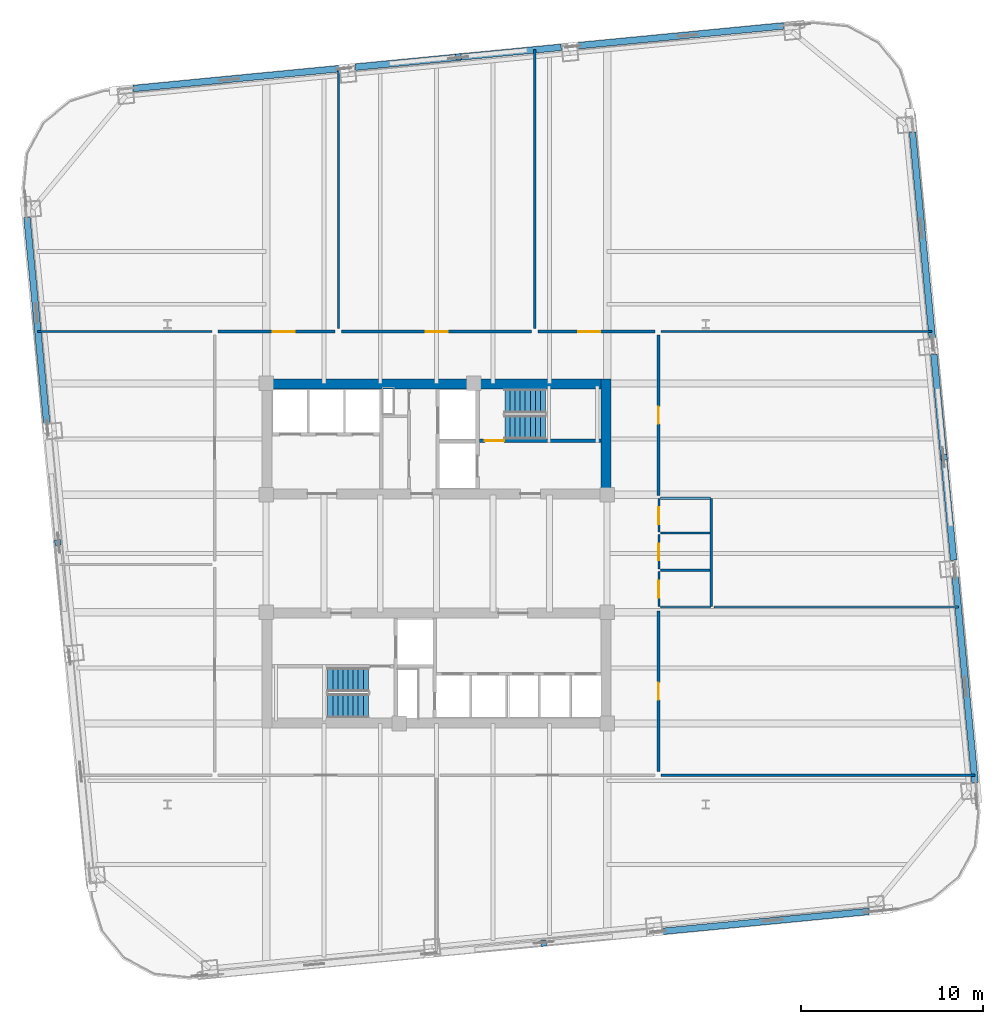
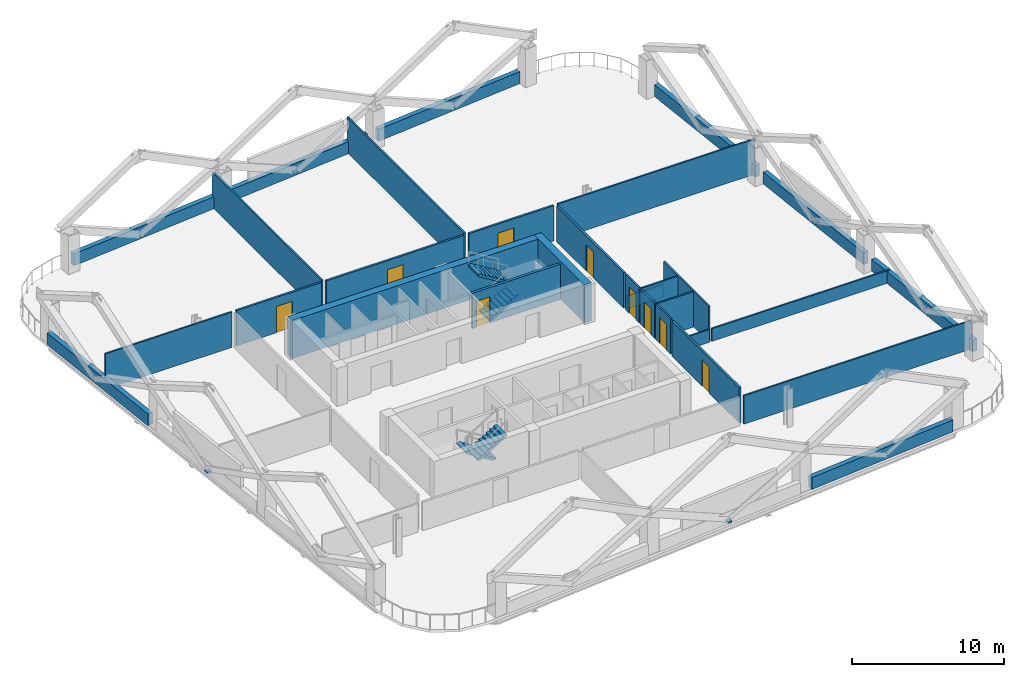
# One storey, part 5 of 8: 30 walls, 9 doors, 4 discrete accessories, 4 stair flights, 9 openings, 2 elements without a shape of their own.
"""IFC4 building model written with IfcOpenShell, lengths in metres."""

import ifcopenshell
import ifcopenshell.guid

model = None  # the IFC model being written
_history = None  # IfcOwnerHistory: only IFC2X3 demands one
_inside = {}  # id of a spatial element -> (the spatial element, [elements in it])
_under = {}  # id of a project, library or spatial element -> (it, [spatial elements below it])
_declared = {}  # id of a project -> (the project, [libraries it declares])
_typed = {}  # id of a type object -> (the type object, [elements of that type])
_made_of = {}  # id of a material, layer set ... -> (it, [elements and type objects made of it])


def new_model(schema):
    """Start an empty IFC model of exactly this schema.

    Asked for "IFC4X3", IfcOpenShell would pick the latest addendum, in which some entities
    have other attributes; the version numbers below select the first issue.
    IFC2X3 requires an IfcOwnerHistory on every rooted entity: one is made here for all.
    """
    global model, _history
    if schema == "IFC4X3":
        model = ifcopenshell.file(schema_version=(4, 3, 0, 0))
    else:
        model = ifcopenshell.file(schema=schema)
    _inside.clear()
    _under.clear()
    _declared.clear()
    _typed.clear()
    _made_of.clear()
    _history = None
    if model.schema == "IFC2X3":
        org = make("IfcOrganization", Name="unknown")
        user = make(
            "IfcPersonAndOrganization",
            ThePerson=make("IfcPerson", FamilyName="unknown"),
            TheOrganization=org,
        )
        app = make(
            "IfcApplication",
            ApplicationDeveloper=org,
            Version="unknown",
            ApplicationFullName="unknown",
            ApplicationIdentifier="unknown",
        )
        _history = make(
            "IfcOwnerHistory",
            OwningUser=user,
            OwningApplication=app,
            ChangeAction="ADDED",
            CreationDate=0,
        )
    return model


def make(cls, **values):
    """One entity of the class cls with the attributes given. An attribute that is None is left unset."""
    return model.create_entity(
        cls, **{name: value for name, value in values.items() if value is not None}
    )


def rooted(cls, **values):
    """An entity with a GlobalId (a new one), such as an element, a storey or a relation."""
    return make(cls, GlobalId=ifcopenshell.guid.new(), OwnerHistory=_history, **values)


def si_unit(unit_type, name, prefix=None):
    """IfcSIUnit, for example si_unit("LENGTHUNIT", "METRE", prefix="MILLI")."""
    return make("IfcSIUnit", UnitType=unit_type, Prefix=prefix, Name=name)


def assignment(units):
    """IfcUnitAssignment: the units of a project."""
    return None if units is None else make("IfcUnitAssignment", Units=units)


def point(xyz):
    """IfcCartesianPoint."""
    return None if xyz is None else make("IfcCartesianPoint", Coordinates=xyz)


def direction(xyz):
    """IfcDirection."""
    return None if xyz is None else make("IfcDirection", DirectionRatios=xyz)


def frame(location, z_axis=None, x_axis=None):
    """IfcAxis2Placement3D, a coordinate frame: its origin and axes. An axis left out is left unset."""
    return make(
        "IfcAxis2Placement3D",
        Location=point(location),
        Axis=direction(z_axis),
        RefDirection=direction(x_axis),
    )


def frame_2d(location, x_axis=None):
    """IfcAxis2Placement2D, a coordinate frame in the plane: its origin and x axis."""
    return make(
        "IfcAxis2Placement2D", Location=point(location), RefDirection=direction(x_axis)
    )


def origin():
    """The frame at (0, 0, 0) with its axes left unset."""
    return frame((0.0, 0.0, 0.0))


def origin_2d():
    """The frame at (0, 0) in the plane with its x axis left unset."""
    return frame_2d((0.0, 0.0))


def place(relative_to, where):
    """IfcLocalPlacement: puts the frame where relative to a parent placement (None: the world)."""
    return make(
        "IfcLocalPlacement", PlacementRelTo=relative_to, RelativePlacement=where
    )


def context(
    kind, dimensions, precision=None, world=None, true_north=None, identifier=None
):
    """IfcGeometricRepresentationContext, for example the 3D "Model" context."""
    return make(
        "IfcGeometricRepresentationContext",
        ContextIdentifier=identifier,
        ContextType=kind,
        CoordinateSpaceDimension=dimensions,
        Precision=precision,
        WorldCoordinateSystem=world,
        TrueNorth=true_north,
    )


def subcontext(parent, identifier, kind, view, scale=None):
    """IfcGeometricRepresentationSubContext, for example "Body" below "Model"."""
    return make(
        "IfcGeometricRepresentationSubContext",
        ContextIdentifier=identifier,
        ContextType=kind,
        ParentContext=parent,
        TargetScale=scale,
        TargetView=view,
    )


def project(units=None, contexts=None):
    """IfcProject with its units and contexts."""
    return rooted(
        "IfcProject",
        Name="project",
        RepresentationContexts=contexts,
        UnitsInContext=assignment(units),
    )


def spatial(cls, under=None, at=None, **own):
    """A site, building, storey or space (cls), placed at a placement, below another one or the project."""
    s = rooted(cls, ObjectPlacement=at, **own)
    if under is not None:
        _under.setdefault(under.id(), (under, []))[1].append(s)
    return s


def polyline(points):
    """IfcPolyline through the points."""
    return make("IfcPolyline", Points=[point(p) for p in points])


def profile(cls, at=None, kind="AREA", **sizes):
    """A parametric profile (cls). Its sizes go by their IFC names, for example OverallWidth=200.0."""
    return make(cls, ProfileType=kind, Position=at, **sizes)


def rectangle(**sizes):
    """IfcRectangleProfileDef."""
    return profile("IfcRectangleProfileDef", **sizes)


def outline(outer, holes=None, kind="AREA"):
    """IfcArbitraryClosedProfileDef: a profile drawn as a closed curve; with holes, ...WithVoids."""
    if holes is None:
        return make("IfcArbitraryClosedProfileDef", ProfileType=kind, OuterCurve=outer)
    return make(
        "IfcArbitraryProfileDefWithVoids",
        ProfileType=kind,
        OuterCurve=outer,
        InnerCurves=holes,
    )


def extrude(swept, where, along, depth):
    """IfcExtrudedAreaSolid: the profile swept, set in the frame where, extruded along a direction by depth."""
    return make(
        "IfcExtrudedAreaSolid",
        SweptArea=swept,
        Position=where,
        ExtrudedDirection=direction(along),
        Depth=depth,
    )


def shape(context_of_items, identifier, shape_type, items):
    """IfcShapeRepresentation: the items that make up one representation, for example the "Body"."""
    return make(
        "IfcShapeRepresentation",
        ContextOfItems=context_of_items,
        RepresentationIdentifier=identifier,
        RepresentationType=shape_type,
        Items=items,
    )


def material(Name=None, Category=None):
    """IfcMaterial."""
    return make("IfcMaterial", Name=Name, Category=Category)


def layer(
    of_material, thickness, ventilated=None, Name=None, Category=None, Priority=None
):
    """IfcMaterialLayer: one layer of a wall or slab, of a material (None: an air gap)."""
    return make(
        "IfcMaterialLayer",
        Material=of_material,
        LayerThickness=thickness,
        IsVentilated=ventilated,
        Name=Name,
        Category=Category,
        Priority=Priority,
    )


def layer_set(layers, Name=None):
    """IfcMaterialLayerSet."""
    return make("IfcMaterialLayerSet", MaterialLayers=layers, LayerSetName=Name)


def made_of(thing, what):
    """Note that an element or type object is made of a material, layer set ...; save() writes the relation."""
    if what is not None:
        _made_of.setdefault(what.id(), (what, []))[1].append(thing)
    return thing


def type_object(cls, material=None, **own):
    """A type object (cls), such as IfcWallType, which elements share."""
    return made_of(rooted(cls, **own), material)


def element(
    cls,
    number,
    at=None,
    inside=None,
    cuts=None,
    type_object=None,
    material=None,
    context=None,
    identifier="Body",
    shape_type=None,
    held_by="IfcProductDefinitionShape",
    body=None,
    shapes=None,
    **own,
):
    """One element of the class cls, such as IfcWall. Its Tag is "e" and its number.

    at: its placement. inside: the storey or other place that contains it. cuts: it is an
    opening in that element (IfcRelVoidsElement). A single representation is given by context,
    identifier, shape_type and body (its items); several are given by shapes. held_by: the class
    of the entity that holds the representations. save() writes the other relations.
    """
    e = rooted(cls, Tag="e%d" % number, ObjectPlacement=at, **own)
    if body is not None:
        shapes = [shape(context, identifier, shape_type, body)]
    if shapes is not None:
        e.Representation = make(held_by, Representations=shapes)
    if inside is not None:
        _inside.setdefault(inside.id(), (inside, []))[1].append(e)
    if cuts is not None:
        rooted(
            "IfcRelVoidsElement", RelatingBuildingElement=cuts, RelatedOpeningElement=e
        )
    if type_object is not None:
        _typed.setdefault(type_object.id(), (type_object, []))[1].append(e)
    return made_of(e, material)


def fill(opening, filler):
    """IfcRelFillsElement: the door or window that sits in an opening."""
    return rooted(
        "IfcRelFillsElement",
        RelatingOpeningElement=opening,
        RelatedBuildingElement=filler,
    )


def aggregate(whole, parts):
    """IfcRelAggregates: a whole, such as a stair, and the parts it consists of."""
    return rooted("IfcRelAggregates", RelatingObject=whole, RelatedObjects=parts)


def save(model, path):
    """Write the relations noted so far, then the file.

    IfcRelAggregates (storeys below a building ...), IfcRelContainedInSpatialStructure (elements
    in a storey), IfcRelDefinesByType, IfcRelAssociatesMaterial and IfcRelDeclares: one each for
    every whole, place, type object, material and project.
    """
    for whole, parts in _under.values():
        aggregate(whole, parts)
    for where, things in _inside.values():
        rooted(
            "IfcRelContainedInSpatialStructure",
            RelatedElements=things,
            RelatingStructure=where,
        )
    for kind, things in _typed.values():
        rooted("IfcRelDefinesByType", RelatedObjects=things, RelatingType=kind)
    for what, things in _made_of.values():
        rooted("IfcRelAssociatesMaterial", RelatedObjects=things, RelatingMaterial=what)
    for by, libraries in _declared.values():
        rooted("IfcRelDeclares", RelatingContext=by, RelatedDefinitions=libraries)
    model.write(path)


model = new_model("IFC4")

# Units and contexts
model_context = context("Model", 3, precision=1e-05, world=origin(), true_north=direction((0.0, 1.0)))
body_context = subcontext(model_context, "Body", "Model", "MODEL_VIEW")
ifc_project = project(units=[si_unit("LENGTHUNIT", "METRE"), si_unit("AREAUNIT", "SQUARE_METRE"), si_unit("VOLUMEUNIT", "CUBIC_METRE"), si_unit("PLANEANGLEUNIT", "RADIAN"), si_unit("MASSUNIT", "GRAM", prefix="KILO")], contexts=[model_context])

# Site, building, storey
site_placement = place(None, origin())
site = spatial("IfcSite", under=ifc_project, at=site_placement, CompositionType="ELEMENT")
building_placement = place(site_placement, origin())
building = spatial("IfcBuilding", under=site, at=building_placement, Name="Qhalaya Broadcast Tower", CompositionType="ELEMENT")
storey_placement = place(building_placement, frame((0.0, 0.0, 93.85009765625)))
storey = spatial("IfcBuildingStorey", under=building, at=storey_placement, Name="L27", CompositionType="ELEMENT", Elevation=93.85009765625)

# Wall, opening, door
ifc_material_1 = material(Name="Gypsum Acoustic Partition")
ifc_layer_1 = layer(ifc_material_1, 0.14990234375, Name="Gypsum Acoustic Partition")
ifc_layer_set_1 = layer_set([ifc_layer_1], Name="Gypsum Acoustic Partition")
wall_type_1 = type_object("IfcWallType", Name="Corridor & Tenancy Acoustic Partition 150", PredefinedType="PARTITIONING", material=ifc_layer_set_1)
wall_1_placement = place(storey_placement, frame((-12.02001953125, 12.800048828125, 0.0), z_axis=(0.0, 0.0, 1.0), x_axis=(1.0, 0.0, 0.0)))
wall_1 = element("IfcWall", 1, at=wall_1_placement, inside=storey, type_object=wall_type_1, Name="L27 Partition Wall W-COR-01", PredefinedType="PARTITIONING", context=body_context, shape_type="SweptSolid", body=[
    extrude(rectangle(XDim=6.43994140625, YDim=0.14990234375, at=frame_2d((3.219970703125, 0.0))), origin(), (0.0, 0.0, 1.0), 2.829833984375),
])
opening_1_placement = place(wall_1_placement, frame((3.02001953125, 0.0, 0.0)))
opening_1 = element("IfcOpeningElement", 2, at=opening_1_placement, cuts=wall_1, Name="Opening D11", PredefinedType="OPENING", context=body_context, shape_type="SweptSolid", body=[
    extrude(rectangle(XDim=1.199951171875, YDim=2.10009765625, at=frame_2d((0.60009765625, 1.050048828125))), frame((0.0, 0.0869140625, 0.0), z_axis=(0.0, -1.0, 0.0), x_axis=(1.0, 0.0, 0.0)), (0.0, 0.0, 1.0), 0.173828125),
])
ifc_material_2 = material(Name="Anodised Aluminium Glazed Door", Category="aluminium")
door_type_1 = type_object("IfcDoorType", Name="Conference, Boardroom & Studio Control Door D11", OperationType="NOTDEFINED", PredefinedType="DOOR", material=ifc_material_2)
door_1_placement = place(opening_1_placement, origin())
door_1 = element("IfcDoor", 3, at=door_1_placement, inside=storey, type_object=door_type_1, Name="L27 Door D-RM01", OperationType="SINGLE_SWING_LEFT", OverallHeight=2.10009765625, OverallWidth=1.199951171875, PredefinedType="DOOR", context=body_context, shape_type="SweptSolid", body=[
    extrude(rectangle(XDim=1.199951171875, YDim=2.10009765625, at=frame_2d((0.60009765625, 1.050048828125))), frame((0.0, 0.02490234375, 0.0), z_axis=(0.0, -1.0, 0.0), x_axis=(1.0, 0.0, 0.0)), (0.0, 0.0, 1.0), 0.050048828125),
])
fill(opening_1, door_1)

wall_2_placement = place(storey_placement, frame((-5.219970703125, 12.800048828125, 0.0), z_axis=(0.0, 0.0, 1.0), x_axis=(1.0, 0.0, 0.0)))
wall_2 = element("IfcWall", 4, at=wall_2_placement, inside=storey, type_object=wall_type_1, Name="L27 Partition Wall W-COR-02", PredefinedType="PARTITIONING", context=body_context, shape_type="SweptSolid", body=[
    extrude(rectangle(XDim=10.43994140625, YDim=0.14990234375, at=frame_2d((5.219970703125, 0.0))), origin(), (0.0, 0.0, 1.0), 2.829833984375),
])
opening_2_placement = place(wall_2_placement, frame((4.6201171875, 0.0, 0.0)))
opening_2 = element("IfcOpeningElement", 5, at=opening_2_placement, cuts=wall_2, Name="Opening D11", PredefinedType="OPENING", context=body_context, shape_type="SweptSolid", body=[
    extrude(rectangle(XDim=1.199951171875, YDim=2.10009765625, at=frame_2d((0.60009765625, 1.050048828125))), frame((0.0, 0.0869140625, 0.0), z_axis=(0.0, -1.0, 0.0), x_axis=(1.0, 0.0, 0.0)), (0.0, 0.0, 1.0), 0.173828125),
])
door_2_placement = place(opening_2_placement, origin())
door_2 = element("IfcDoor", 6, at=door_2_placement, inside=storey, type_object=door_type_1, Name="L27 Door D-RM02", OperationType="SINGLE_SWING_RIGHT", OverallHeight=2.10009765625, OverallWidth=1.199951171875, PredefinedType="DOOR", context=body_context, shape_type="SweptSolid", body=[
    extrude(rectangle(XDim=1.199951171875, YDim=2.10009765625, at=frame_2d((0.60009765625, 1.050048828125))), frame((0.0, 0.02490234375, 0.0), z_axis=(0.0, -1.0, 0.0), x_axis=(1.0, 0.0, 0.0)), (0.0, 0.0, 1.0), 0.050048828125),
])
fill(opening_2, door_2)

wall_3_placement = place(storey_placement, frame((5.580078125, 12.800048828125, 0.0), z_axis=(0.0, 0.0, 1.0), x_axis=(1.0, 0.0, 0.0)))
wall_3 = element("IfcWall", 7, at=wall_3_placement, inside=storey, type_object=wall_type_1, Name="L27 Partition Wall W-COR-03", PredefinedType="PARTITIONING", context=body_context, shape_type="SweptSolid", body=[
    extrude(rectangle(XDim=6.43994140625, YDim=0.14990234375, at=frame_2d((3.219970703125, 0.0))), origin(), (0.0, 0.0, 1.0), 2.829833984375),
])
opening_3_placement = place(wall_3_placement, frame((2.219970703125, 0.0, 0.0)))
opening_3 = element("IfcOpeningElement", 8, at=opening_3_placement, cuts=wall_3, Name="Opening D11", PredefinedType="OPENING", context=body_context, shape_type="SweptSolid", body=[
    extrude(rectangle(XDim=1.199951171875, YDim=2.10009765625, at=frame_2d((0.60009765625, 1.050048828125))), frame((0.0, 0.0869140625, 0.0), z_axis=(0.0, -1.0, 0.0), x_axis=(1.0, 0.0, 0.0)), (0.0, 0.0, 1.0), 0.173828125),
])
door_3_placement = place(opening_3_placement, origin())
door_3 = element("IfcDoor", 9, at=door_3_placement, inside=storey, type_object=door_type_1, Name="L27 Door D-RM03", OperationType="SINGLE_SWING_LEFT", OverallHeight=2.10009765625, OverallWidth=1.199951171875, PredefinedType="DOOR", context=body_context, shape_type="SweptSolid", body=[
    extrude(rectangle(XDim=1.199951171875, YDim=2.10009765625, at=frame_2d((0.60009765625, 1.050048828125))), frame((0.0, 0.02490234375, 0.0), z_axis=(0.0, -1.0, 0.0), x_axis=(1.0, 0.0, 0.0)), (0.0, 0.0, 1.0), 0.050048828125),
])
fill(opening_3, door_3)

wall_4_placement = place(storey_placement, frame((12.199951171875, -11.39990234375, 0.0), z_axis=(0.0, 0.0, 1.0), x_axis=(0.0, 1.0, 0.0)))
wall_4 = element("IfcWall", 10, at=wall_4_placement, inside=storey, type_object=wall_type_1, Name="L27 Partition Wall W-COR-08", PredefinedType="PARTITIONING", context=body_context, shape_type="SweptSolid", body=[
    extrude(rectangle(XDim=8.83984375, YDim=0.14990234375, at=frame_2d((4.419921875, 0.0))), origin(), (0.0, 0.0, 1.0), 2.829833984375),
])
opening_4_placement = place(wall_4_placement, frame((3.945068359375, 0.0, 0.0)))
opening_4 = element("IfcOpeningElement", 11, at=opening_4_placement, cuts=wall_4, Name="Opening D10", PredefinedType="OPENING", context=body_context, shape_type="SweptSolid", body=[
    extrude(rectangle(XDim=0.949951171875, YDim=2.10009765625, at=frame_2d((0.47509765625, 1.050048828125))), frame((0.0, 0.0869140625, 0.0), z_axis=(0.0, -1.0, 0.0), x_axis=(1.0, 0.0, 0.0)), (0.0, 0.0, 1.0), 0.173828125),
])
ifc_material_3 = material(Name="Timber Veneer Acoustic Door", Category="wood")
door_type_2 = type_object("IfcDoorType", Name="Cellular Office & Edit Booth Door D10", OperationType="NOTDEFINED", PredefinedType="DOOR", material=ifc_material_3)
door_4_placement = place(opening_4_placement, origin())
door_4 = element("IfcDoor", 12, at=door_4_placement, inside=storey, type_object=door_type_2, Name="L27 Door D-RM08", OperationType="SINGLE_SWING_RIGHT", OverallHeight=2.10009765625, OverallWidth=0.949951171875, PredefinedType="DOOR", context=body_context, shape_type="SweptSolid", body=[
    extrude(rectangle(XDim=0.949951171875, YDim=2.10009765625, at=frame_2d((0.47509765625, 1.050048828125))), frame((0.0, 0.02490234375, 0.0), z_axis=(0.0, -1.0, 0.0), x_axis=(1.0, 0.0, 0.0)), (0.0, 0.0, 1.0), 0.050048828125),
])
fill(opening_4, door_4)

wall_5_placement = place(storey_placement, frame((12.199951171875, 3.800048828125, 0.0), z_axis=(0.0, 0.0, 1.0), x_axis=(0.0, 1.0, 0.0)))
wall_5 = element("IfcWall", 13, at=wall_5_placement, inside=storey, type_object=wall_type_1, Name="L27 Partition Wall W-COR-09", PredefinedType="PARTITIONING", context=body_context, shape_type="SweptSolid", body=[
    extrude(rectangle(XDim=8.800048828125, YDim=0.14990234375, at=frame_2d((4.39990234375, 0.0))), origin(), (0.0, 0.0, 1.0), 2.829833984375),
])
opening_5_placement = place(wall_5_placement, frame((3.925048828125, 0.0, 0.0)))
opening_5 = element("IfcOpeningElement", 14, at=opening_5_placement, cuts=wall_5, Name="Opening D10", PredefinedType="OPENING", context=body_context, shape_type="SweptSolid", body=[
    extrude(rectangle(XDim=0.949951171875, YDim=2.10009765625, at=frame_2d((0.47509765625, 1.050048828125))), frame((0.0, 0.0869140625, 0.0), z_axis=(0.0, -1.0, 0.0), x_axis=(1.0, 0.0, 0.0)), (0.0, 0.0, 1.0), 0.173828125),
])
door_5_placement = place(opening_5_placement, origin())
door_5 = element("IfcDoor", 15, at=door_5_placement, inside=storey, type_object=door_type_2, Name="L27 Door D-RM09", OperationType="SINGLE_SWING_LEFT", OverallHeight=2.10009765625, OverallWidth=0.949951171875, PredefinedType="DOOR", context=body_context, shape_type="SweptSolid", body=[
    extrude(rectangle(XDim=0.949951171875, YDim=2.10009765625, at=frame_2d((0.47509765625, 1.050048828125))), frame((0.0, 0.02490234375, 0.0), z_axis=(0.0, -1.0, 0.0), x_axis=(1.0, 0.0, 0.0)), (0.0, 0.0, 1.0), 0.050048828125),
])
fill(opening_5, door_5)

# Walls
ifc_material_4 = material(Name="Precast Concrete C40/50", Category="concrete")
ifc_layer_2 = layer(ifc_material_4, 0.360107421875, Name="Precast Concrete C40/50")
ifc_layer_set_2 = layer_set([ifc_layer_2], Name="Precast Concrete C40/50")
wall_type_2 = type_object("IfcWallType", Name="Insulated Precast Terracotta Exterior Wall 360", PredefinedType="SOLIDWALL", material=ifc_layer_set_2)
for number, where, z_axis, x_axis, name in (
    (16, (23.763671875, -19.085693359375, 0.0), (0.0, 0.0, 1.0), (-0.995394236145, -0.095866128796, 0.0), "L27 Exoskeleton Diagrid Infill Wall S1"),
    (17, (26.165771484375, 23.763671875, 0.0), (0.0, 0.0, 1.0), (0.095844869758, -0.995396283367, 0.0), "L27 Exoskeleton Diagrid Infill Wall E1"),
):
    element("IfcWall", number, at=place(storey_placement, frame(where, z_axis=z_axis, x_axis=x_axis)), inside=storey, type_object=wall_type_2, Name=name, PredefinedType="SOLIDWALL", context=body_context, shape_type="SweptSolid", body=[
        extrude(rectangle(XDim=11.378662109375, YDim=0.360107421875, at=frame_2d((5.689453125, 0.0))), origin(), (0.0, 0.0, 1.0), 0.949951171875),
    ])
wall_6_placement = place(storey_placement, frame((27.3427734375, 11.54150390625, 0.0), z_axis=(0.0, 0.0, 1.0), x_axis=(0.09583887089, -0.995396860969, 0.0)))
element("IfcWall", 18, at=wall_6_placement, inside=storey, type_object=wall_type_2, Name="L27 Exoskeleton Diagrid Infill Wall E2", PredefinedType="SOLIDWALL", context=body_context, shape_type="SweptSolid", body=[
    extrude(rectangle(XDim=11.366455078125, YDim=0.360107421875, at=frame_2d((5.68310546875, 0.0))), origin(), (0.0, 0.0, 1.0), 0.949951171875),
])
for number, where, z_axis, x_axis, name in (
    (19, (28.518310546875, -0.668701171875, 0.0), (0.0, 0.0, 1.0), (0.095844869758, -0.995396283367, 0.0), "L27 Exoskeleton Diagrid Infill Wall E3"),
    (20, (-16.68359375, 26.165771484375, 0.0), (0.0, 0.0, 1.0), (0.995396283367, 0.095844869758, 0.0), "L27 Exoskeleton Diagrid Infill Wall N1"),
):
    element("IfcWall", number, at=place(storey_placement, frame(where, z_axis=z_axis, x_axis=x_axis)), inside=storey, type_object=wall_type_2, Name=name, PredefinedType="SOLIDWALL", context=body_context, shape_type="SweptSolid", body=[
        extrude(rectangle(XDim=11.378662109375, YDim=0.360107421875, at=frame_2d((5.689453125, 0.0))), origin(), (0.0, 0.0, 1.0), 0.949951171875),
    ])
wall_7_placement = place(storey_placement, frame((-4.461669921875, 27.3427734375, 0.0), z_axis=(0.0, 0.0, 1.0), x_axis=(0.995397058248, 0.095836821895, 0.0)))
element("IfcWall", 21, at=wall_7_placement, inside=storey, type_object=wall_type_2, Name="L27 Exoskeleton Diagrid Infill Wall N2", PredefinedType="SOLIDWALL", context=body_context, shape_type="SweptSolid", body=[
    extrude(rectangle(XDim=11.36669921875, YDim=0.360107421875, at=frame_2d((5.683349609375, 0.0))), origin(), (0.0, 0.0, 1.0), 0.949951171875),
])
for number, where, z_axis, x_axis, name in (
    (22, (7.74853515625, 28.518310546875, 0.0), (0.0, 0.0, 1.0), (0.995396480463, 0.095842822801, 0.0), "L27 Exoskeleton Diagrid Infill Wall N3"),
    (23, (-21.4384765625, 7.74853515625, 0.0), (0.0, 0.0, 1.0), (-0.095842822801, 0.995396480463, 0.0), "L27 Exoskeleton Diagrid Infill Wall W3"),
):
    element("IfcWall", number, at=place(storey_placement, frame(where, z_axis=z_axis, x_axis=x_axis)), inside=storey, type_object=wall_type_2, Name=name, PredefinedType="SOLIDWALL", context=body_context, shape_type="SweptSolid", body=[
        extrude(rectangle(XDim=11.37890625, YDim=0.360107421875, at=frame_2d((5.689453125, 0.0))), origin(), (0.0, 0.0, 1.0), 0.949951171875),
    ])

# Wall, opening, door
ifc_material_5 = material(Name="Concrete C50/60", Category="concrete")
ifc_layer_3 = layer(ifc_material_5, 0.199951171875, Name="Concrete C50/60")
ifc_layer_set_3 = layer_set([ifc_layer_3], Name="Concrete C50/60")
wall_type_3 = type_object("IfcWallType", Name="Load-Bearing Stair Shaft Wall 200", PredefinedType="SHEAR", material=ifc_layer_set_3)
wall_8_placement = place(storey_placement, frame((2.360107421875, 6.804931640625, 0.0), z_axis=(0.0, 0.0, 1.0), x_axis=(1.0, 0.0, 0.0)))
wall_8 = element("IfcWall", 24, at=wall_8_placement, inside=storey, type_object=wall_type_3, Name="L27 Stair Core Shear Wall NCW-ST1", PredefinedType="SHEAR", context=body_context, shape_type="SweptSolid", body=[
    extrude(rectangle(XDim=6.669921875, YDim=0.199951171875, at=frame_2d((3.3349609375, 0.0))), origin(), (0.0, 0.0, 1.0), 2.829833984375),
])
opening_6_placement = place(wall_8_placement, frame((0.300048828125, 0.0, 0.0)))
opening_6 = element("IfcOpeningElement", 25, at=opening_6_placement, cuts=wall_8, Name="Opening D03", PredefinedType="OPENING", context=body_context, shape_type="SweptSolid", body=[
    extrude(rectangle(XDim=1.050048828125, YDim=2.080078125, at=frame_2d((0.52490234375, 1.0400390625))), frame((0.0, 0.112060546875, 0.0), z_axis=(0.0, -1.0, 0.0), x_axis=(1.0, 0.0, 0.0)), (0.0, 0.0, 1.0), 0.223876953125),
])
ifc_material_6 = material(Name="Fire-Rated Steel Door", Category="steel")
door_type_3 = type_object("IfcDoorType", Name="Core Stair Protected Fire Door D03", OperationType="NOTDEFINED", PredefinedType="DOOR", material=ifc_material_6)
door_6_placement = place(opening_6_placement, origin())
door_6 = element("IfcDoor", 26, at=door_6_placement, inside=storey, type_object=door_type_3, Name="L27 Door D-NST1", OperationType="SINGLE_SWING_LEFT", OverallHeight=2.080078125, OverallWidth=1.050048828125, PredefinedType="DOOR", context=body_context, shape_type="SweptSolid", body=[
    extrude(rectangle(XDim=1.050048828125, YDim=2.080078125, at=frame_2d((0.52490234375, 1.0400390625))), frame((0.0, 0.02490234375, 0.0), z_axis=(0.0, -1.0, 0.0), x_axis=(1.0, 0.0, 0.0)), (0.0, 0.0, 1.0), 0.050048828125),
])
fill(opening_6, door_6)

# Walls
ifc_material_7 = material(Name="Concrete C60/75", Category="concrete")
ifc_layer_4 = layer(ifc_material_7, 0.550048828125, Name="Concrete C60/75")
ifc_layer_set_4 = layer_set([ifc_layer_4], Name="Concrete C60/75")
wall_type_4 = type_object("IfcWallType", Name="Lower Split-Core Shear Wall 550", PredefinedType="SHEAR", material=ifc_layer_set_4)
wall_9_placement = place(storey_placement, frame((-9.60009765625, 9.925048828125, 0.0), z_axis=(0.0, 0.0, 1.0), x_axis=(1.0, 0.0, 0.0)))
element("IfcWall", 27, at=wall_9_placement, inside=storey, type_object=wall_type_4, Name="L27 Split-Core Shear Wall CW-NN", PredefinedType="SHEAR", context=body_context, shape_type="SweptSolid", body=[
    extrude(rectangle(XDim=19.2001953125, YDim=0.550048828125, at=frame_2d((9.60009765625, 0.0))), origin(), (0.0, 0.0, 1.0), 3.0498046875),
])
wall_10_placement = place(storey_placement, frame((9.324951171875, 3.60009765625, 0.0), z_axis=(0.0, 0.0, 1.0), x_axis=(0.0, 1.0, 0.0)))
element("IfcWall", 28, at=wall_10_placement, inside=storey, type_object=wall_type_4, Name="L27 Split-Core Shear Wall CW-NE", PredefinedType="SHEAR", context=body_context, shape_type="SweptSolid", body=[
    extrude(rectangle(XDim=6.599853515625, YDim=0.550048828125, at=frame_2d((3.2998046875, 0.0))), origin(), (0.0, 0.0, 1.0), 3.0498046875),
])

# Wall, opening, door
ifc_layer_5 = layer(ifc_material_1, 0.1201171875, Name="Gypsum Acoustic Partition")
ifc_layer_set_5 = layer_set([ifc_layer_5], Name="Gypsum Acoustic Partition")
wall_type_5 = type_object("IfcWallType", Name="Office, Booth & Sanitary Partition 120", PredefinedType="PARTITIONING", material=ifc_layer_set_5)
wall_11_placement = place(storey_placement, frame((12.219970703125, -2.320068359375, 0.0), z_axis=(0.0, 0.0, 1.0), x_axis=(0.0, 1.0, 0.0)))
wall_11 = element("IfcWall", 29, at=wall_11_placement, inside=storey, type_object=wall_type_5, Name="L27 Partition Wall W-WCWA", PredefinedType="PARTITIONING", context=body_context, shape_type="SweptSolid", body=[
    extrude(rectangle(XDim=1.940185546875, YDim=0.1201171875, at=frame_2d((0.97021484375, 0.0))), origin(), (0.0, 0.0, 1.0), 2.829833984375),
])
opening_7_placement = place(wall_11_placement, frame((0.4951171875, 0.0, 0.0)))
opening_7 = element("IfcOpeningElement", 30, at=opening_7_placement, cuts=wall_11, Name="Opening D12", PredefinedType="OPENING", context=body_context, shape_type="SweptSolid", body=[
    extrude(rectangle(XDim=0.919921875, YDim=2.10009765625, at=frame_2d((0.4599609375, 1.050048828125))), frame((0.0, 0.072021484375, 0.0), z_axis=(0.0, -1.0, 0.0), x_axis=(1.0, 0.0, 0.0)), (0.0, 0.0, 1.0), 0.14404296875),
])
door_type_4 = type_object("IfcDoorType", Name="Accessible WC & Restroom Door D12", OperationType="NOTDEFINED", PredefinedType="DOOR", material=ifc_material_3)
door_7_placement = place(opening_7_placement, origin())
door_7 = element("IfcDoor", 31, at=door_7_placement, inside=storey, type_object=door_type_4, Name="L27 Door D-WCA", OperationType="SINGLE_SWING_LEFT", OverallHeight=2.10009765625, OverallWidth=0.919921875, PredefinedType="DOOR", context=body_context, shape_type="SweptSolid", body=[
    extrude(rectangle(XDim=0.919921875, YDim=2.10009765625, at=frame_2d((0.4599609375, 1.050048828125))), frame((0.0, 0.02490234375, 0.0), z_axis=(0.0, -1.0, 0.0), x_axis=(1.0, 0.0, 0.0)), (0.0, 0.0, 1.0), 0.050048828125),
])
fill(opening_7, door_7)

wall_12_placement = place(storey_placement, frame((12.219970703125, -0.25, 0.0), z_axis=(0.0, 0.0, 1.0), x_axis=(0.0, 1.0, 0.0)))
wall_12 = element("IfcWall", 32, at=wall_12_placement, inside=storey, type_object=wall_type_5, Name="L27 Partition Wall W-WCWM", PredefinedType="PARTITIONING", context=body_context, shape_type="SweptSolid", body=[
    extrude(rectangle(XDim=1.89990234375, YDim=0.1201171875, at=frame_2d((0.949951171875, 0.0))), origin(), (0.0, 0.0, 1.0), 2.829833984375),
])
opening_8_placement = place(wall_12_placement, frame((0.47509765625, 0.0, 0.0)))
opening_8 = element("IfcOpeningElement", 33, at=opening_8_placement, cuts=wall_12, Name="Opening D12", PredefinedType="OPENING", context=body_context, shape_type="SweptSolid", body=[
    extrude(rectangle(XDim=0.919921875, YDim=2.10009765625, at=frame_2d((0.4599609375, 1.050048828125))), frame((0.0, 0.072021484375, 0.0), z_axis=(0.0, -1.0, 0.0), x_axis=(1.0, 0.0, 0.0)), (0.0, 0.0, 1.0), 0.14404296875),
])
door_8_placement = place(opening_8_placement, origin())
door_8 = element("IfcDoor", 34, at=door_8_placement, inside=storey, type_object=door_type_4, Name="L27 Door D-WCM", OperationType="SINGLE_SWING_RIGHT", OverallHeight=2.10009765625, OverallWidth=0.919921875, PredefinedType="DOOR", context=body_context, shape_type="SweptSolid", body=[
    extrude(rectangle(XDim=0.919921875, YDim=2.10009765625, at=frame_2d((0.4599609375, 1.050048828125))), frame((0.0, 0.02490234375, 0.0), z_axis=(0.0, -1.0, 0.0), x_axis=(1.0, 0.0, 0.0)), (0.0, 0.0, 1.0), 0.050048828125),
])
fill(opening_8, door_8)

wall_13_placement = place(storey_placement, frame((12.219970703125, 1.780029296875, 0.0), z_axis=(0.0, 0.0, 1.0), x_axis=(0.0, 1.0, 0.0)))
wall_13 = element("IfcWall", 35, at=wall_13_placement, inside=storey, type_object=wall_type_5, Name="L27 Partition Wall W-WCWF", PredefinedType="PARTITIONING", context=body_context, shape_type="SweptSolid", body=[
    extrude(rectangle(XDim=1.830078125, YDim=0.1201171875, at=frame_2d((0.9150390625, 0.0))), origin(), (0.0, 0.0, 1.0), 2.829833984375),
])
opening_9_placement = place(wall_13_placement, frame((0.43994140625, 0.0, 0.0)))
opening_9 = element("IfcOpeningElement", 36, at=opening_9_placement, cuts=wall_13, Name="Opening D12", PredefinedType="OPENING", context=body_context, shape_type="SweptSolid", body=[
    extrude(rectangle(XDim=0.919921875, YDim=2.10009765625, at=frame_2d((0.4599609375, 1.050048828125))), frame((0.0, 0.072021484375, 0.0), z_axis=(0.0, -1.0, 0.0), x_axis=(1.0, 0.0, 0.0)), (0.0, 0.0, 1.0), 0.14404296875),
])
door_9_placement = place(opening_9_placement, origin())
door_9 = element("IfcDoor", 37, at=door_9_placement, inside=storey, type_object=door_type_4, Name="L27 Door D-WCF", OperationType="SINGLE_SWING_LEFT", OverallHeight=2.10009765625, OverallWidth=0.919921875, PredefinedType="DOOR", context=body_context, shape_type="SweptSolid", body=[
    extrude(rectangle(XDim=0.919921875, YDim=2.10009765625, at=frame_2d((0.4599609375, 1.050048828125))), frame((0.0, 0.02490234375, 0.0), z_axis=(0.0, -1.0, 0.0), x_axis=(1.0, 0.0, 0.0)), (0.0, 0.0, 1.0), 0.050048828125),
])
fill(opening_9, door_9)

# Walls
wall_14_placement = place(storey_placement, frame((15.10009765625, -2.320068359375, 0.0), z_axis=(0.0, 0.0, 1.0), x_axis=(0.0, 1.0, 0.0)))
element("IfcWall", 38, at=wall_14_placement, inside=storey, type_object=wall_type_5, Name="L27 Partition Wall W-WCE", PredefinedType="PARTITIONING", context=body_context, shape_type="SweptSolid", body=[
    extrude(rectangle(XDim=5.93017578125, YDim=0.1201171875, at=frame_2d((2.965087890625, 0.0))), origin(), (0.0, 0.0, 1.0), 2.829833984375),
])
for number, where, z_axis, x_axis, name in (
    (39, (12.31005859375, -2.35009765625, 0.0), (0.0, 0.0, 1.0), (1.0, 0.0, 0.0), "L27 Partition Wall W-WCS"),
    (40, (12.31005859375, 3.639892578125, 0.0), (0.0, 0.0, 1.0), (1.0, 0.0, 0.0), "L27 Partition Wall W-WCN"),
):
    element("IfcWall", number, at=place(storey_placement, frame(where, z_axis=z_axis, x_axis=x_axis)), inside=storey, type_object=wall_type_5, Name=name, PredefinedType="PARTITIONING", context=body_context, shape_type="SweptSolid", body=[
        extrude(rectangle(XDim=2.760009765625, YDim=0.1201171875, at=frame_2d((1.3798828125, 0.0))), origin(), (0.0, 0.0, 1.0), 1.010009765625),
    ])
for number, where, z_axis, x_axis, name in (
    (41, (12.31005859375, -0.320068359375, 0.0), (0.0, 0.0, 1.0), (1.0, 0.0, 0.0), "L27 Partition Wall W-WCD1"),
    (42, (12.31005859375, 1.719970703125, 0.0), (0.0, 0.0, 1.0), (1.0, 0.0, 0.0), "L27 Partition Wall W-WCD2"),
):
    element("IfcWall", number, at=place(storey_placement, frame(where, z_axis=z_axis, x_axis=x_axis)), inside=storey, type_object=wall_type_5, Name=name, PredefinedType="PARTITIONING", context=body_context, shape_type="SweptSolid", body=[
        extrude(rectangle(XDim=2.719970703125, YDim=0.1201171875, at=frame_2d((1.35986328125, 0.0))), origin(), (0.0, 0.0, 1.0), 2.829833984375),
    ])
wall_15_placement = place(storey_placement, frame((-21.94482421875, 12.800048828125, 0.0), z_axis=(0.0, 0.0, 1.0), x_axis=(1.0, 0.0, 0.0)))
element("IfcWall", 43, at=wall_15_placement, inside=storey, type_object=wall_type_5, Name="L27 Partition Wall W-BNDW1", PredefinedType="PARTITIONING", context=body_context, shape_type="SweptSolid", body=[
    extrude(rectangle(XDim=9.604736328125, YDim=0.1201171875, at=frame_2d((4.80224609375, 0.0))), origin(), (0.0, 0.0, 1.0), 2.829833984375),
])
wall_16_placement = place(storey_placement, frame((12.340087890625, 12.800048828125, 0.0), z_axis=(0.0, 0.0, 1.0), x_axis=(1.0, 0.0, 0.0)))
element("IfcWall", 44, at=wall_16_placement, inside=storey, type_object=wall_type_5, Name="L27 Partition Wall W-BNDE1", PredefinedType="PARTITIONING", context=body_context, shape_type="SweptSolid", body=[
    extrude(rectangle(XDim=14.901611328125, YDim=0.1201171875, at=frame_2d((7.45068359375, 0.0))), origin(), (0.0, 0.0, 1.0), 2.829833984375),
])
wall_17_placement = place(storey_placement, frame((12.340087890625, -11.60009765625, 0.0), z_axis=(0.0, 0.0, 1.0), x_axis=(1.0, 0.0, 0.0)))
element("IfcWall", 45, at=wall_17_placement, inside=storey, type_object=wall_type_5, Name="L27 Partition Wall W-BNDE2", PredefinedType="PARTITIONING", context=body_context, shape_type="SweptSolid", body=[
    extrude(rectangle(XDim=17.2509765625, YDim=0.1201171875, at=frame_2d((8.62548828125, 0.0))), origin(), (0.0, 0.0, 1.0), 2.27392578125),
])
wall_18_placement = place(storey_placement, frame((-5.39990234375, 12.9599609375, 0.0), z_axis=(0.0, 0.0, 1.0), x_axis=(0.0, 1.0, 0.0)))
element("IfcWall", 46, at=wall_18_placement, inside=storey, type_object=wall_type_5, Name="L27 Partition Wall W-DIVN1", PredefinedType="PARTITIONING", context=body_context, shape_type="SweptSolid", body=[
    extrude(rectangle(XDim=14.3125, YDim=0.1201171875, at=frame_2d((7.15625, 0.0))), origin(), (0.0, 0.0, 1.0), 2.829833984375),
])
wall_19_placement = place(storey_placement, frame((5.39990234375, 12.9599609375, 0.0), z_axis=(0.0, 0.0, 1.0), x_axis=(0.0, 1.0, 0.0)))
element("IfcWall", 47, at=wall_19_placement, inside=storey, type_object=wall_type_5, Name="L27 Partition Wall W-DIVN2", PredefinedType="PARTITIONING", context=body_context, shape_type="SweptSolid", body=[
    extrude(rectangle(XDim=15.352294921875, YDim=0.1201171875, at=frame_2d((7.67626953125, 0.0))), origin(), (0.0, 0.0, 1.0), 2.829833984375),
])
wall_20_placement = place(storey_placement, frame((15.239990234375, -2.35009765625, 0.0), z_axis=(0.0, 0.0, 1.0), x_axis=(1.0, 0.0, 0.0)))
element("IfcWall", 48, at=wall_20_placement, inside=storey, type_object=wall_type_5, Name="L27 Partition Wall W-DIVE-WC", PredefinedType="PARTITIONING", context=body_context, shape_type="SweptSolid", body=[
    extrude(rectangle(XDim=13.46044921875, YDim=0.1201171875, at=frame_2d((6.730224609375, 0.0))), origin(), (0.0, 0.0, 1.0), 1.010009765625),
])

# Stair, stair flights
ifc_material_8 = material(Name="Concrete C40/50", Category="concrete")
stair_type = type_object("IfcStairType", Name="Protected Dogleg Core Stair 3150", PredefinedType="TWO_STRAIGHT_RUN_STAIR", material=ifc_material_8)
stair_1_placement = place(storey_placement, origin())
stair_1 = element("IfcStair", 49, at=stair_1_placement, inside=storey, type_object=stair_type, Name="L27 North Core Exit Stair ST-1", PredefinedType="TWO_STRAIGHT_RUN_STAIR")
stair_flight_type = type_object("IfcStairFlightType", Name="Precast Concrete Stair Flight 3150", PredefinedType="STRAIGHT", material=ifc_material_4)
stair_flight_1_placement = place(storey_placement, frame((3.75, 7.5400390625, 0.0), z_axis=(0.0, 0.0, 1.0), x_axis=(1.0, 0.0, 0.0)))
stair_flight_1 = element("IfcStairFlight", 50, at=stair_flight_1_placement, type_object=stair_flight_type, Name="ST-1 flight 1", NumberOfRisers=9, NumberOfTreads=8, PredefinedType="STRAIGHT", RiserHeight=0.169444444, TreadLength=0.28, context=body_context, shape_type="SweptSolid", body=[
    extrude(outline(polyline([(0.0, 0.0), (0.0, 0.16943359375), (0.280029296875, 0.16943359375), (0.280029296875, 0.3388671875), (0.56005859375, 0.3388671875), (0.56005859375, 0.50830078125), (0.840087890625, 0.50830078125), (0.840087890625, 0.677734375), (1.1201171875, 0.677734375), (1.1201171875, 0.84716796875), (1.39990234375, 0.84716796875), (1.39990234375, 1.0166015625), (1.679931640625, 1.0166015625), (1.679931640625, 1.18603515625), (1.9599609375, 1.18603515625), (1.9599609375, 1.35546875), (2.239990234375, 1.35546875), (2.239990234375, 1.52490234375), (2.239990234375, 1.180419921875), (0.28955078125, 0.0), (0.0, 0.0)])), frame((0.0, 0.66015625, 0.0), z_axis=(0.0, -1.0, 0.0), x_axis=(1.0, 0.0, 0.0)), (0.0, 0.0, 1.0), 1.320068359375),
])
stair_flight_2_placement = place(storey_placement, frame((5.989990234375, 8.97998046875, 1.52490234375), z_axis=(0.0, 0.0, 1.0), x_axis=(-1.0, 0.0, 0.0)))
stair_flight_2 = element("IfcStairFlight", 51, at=stair_flight_2_placement, type_object=stair_flight_type, Name="ST-1 flight 2", NumberOfRisers=9, NumberOfTreads=8, PredefinedType="STRAIGHT", RiserHeight=0.169444444, TreadLength=0.28, context=body_context, shape_type="SweptSolid", body=[
    extrude(outline(polyline([(0.0, 0.0), (0.0, 0.16943359375), (0.280029296875, 0.16943359375), (0.280029296875, 0.3388671875), (0.56005859375, 0.3388671875), (0.56005859375, 0.50830078125), (0.840087890625, 0.50830078125), (0.840087890625, 0.677734375), (1.1201171875, 0.677734375), (1.1201171875, 0.84716796875), (1.39990234375, 0.84716796875), (1.39990234375, 1.0166015625), (1.679931640625, 1.0166015625), (1.679931640625, 1.18603515625), (1.9599609375, 1.18603515625), (1.9599609375, 1.35546875), (2.239990234375, 1.35546875), (2.239990234375, 1.52490234375), (2.239990234375, 1.180419921875), (0.28955078125, 0.0), (0.0, 0.0)])), frame((0.0, 0.66015625, 0.0), z_axis=(0.0, -1.0, 0.0), x_axis=(1.0, 0.0, 0.0)), (0.0, 0.0, 1.0), 1.320068359375),
])
aggregate(stair_1, [stair_flight_1, stair_flight_2])

stair_2_placement = place(storey_placement, origin())
stair_2 = element("IfcStair", 52, at=stair_2_placement, inside=storey, type_object=stair_type, Name="L27 South Core Exit Stair ST-2", PredefinedType="TWO_STRAIGHT_RUN_STAIR")
stair_flight_3_placement = place(storey_placement, frame((-3.75, -6.340087890625, 0.0), z_axis=(0.0, 0.0, 1.0), x_axis=(-1.0, 0.0, 0.0)))
stair_flight_3 = element("IfcStairFlight", 53, at=stair_flight_3_placement, type_object=stair_flight_type, Name="ST-2 flight 1", NumberOfRisers=9, NumberOfTreads=8, PredefinedType="STRAIGHT", RiserHeight=0.169444444, TreadLength=0.28, context=body_context, shape_type="SweptSolid", body=[
    extrude(outline(polyline([(0.0, 0.0), (0.0, 0.16943359375), (0.280029296875, 0.16943359375), (0.280029296875, 0.3388671875), (0.56005859375, 0.3388671875), (0.56005859375, 0.50830078125), (0.840087890625, 0.50830078125), (0.840087890625, 0.677734375), (1.1201171875, 0.677734375), (1.1201171875, 0.84716796875), (1.39990234375, 0.84716796875), (1.39990234375, 1.0166015625), (1.679931640625, 1.0166015625), (1.679931640625, 1.18603515625), (1.9599609375, 1.18603515625), (1.9599609375, 1.35546875), (2.239990234375, 1.35546875), (2.239990234375, 1.52490234375), (2.239990234375, 1.180419921875), (0.28955078125, 0.0), (0.0, 0.0)])), frame((0.0, 0.66015625, 0.0), z_axis=(0.0, -1.0, 0.0), x_axis=(1.0, 0.0, 0.0)), (0.0, 0.0, 1.0), 1.320068359375),
])
stair_flight_4_placement = place(storey_placement, frame((-5.989990234375, -7.780029296875, 1.52490234375), z_axis=(0.0, 0.0, 1.0), x_axis=(1.0, 0.0, 0.0)))
stair_flight_4 = element("IfcStairFlight", 54, at=stair_flight_4_placement, type_object=stair_flight_type, Name="ST-2 flight 2", NumberOfRisers=9, NumberOfTreads=8, PredefinedType="STRAIGHT", RiserHeight=0.169444444, TreadLength=0.28, context=body_context, shape_type="SweptSolid", body=[
    extrude(outline(polyline([(0.0, 0.0), (0.0, 0.16943359375), (0.280029296875, 0.16943359375), (0.280029296875, 0.3388671875), (0.56005859375, 0.3388671875), (0.56005859375, 0.50830078125), (0.840087890625, 0.50830078125), (0.840087890625, 0.677734375), (1.1201171875, 0.677734375), (1.1201171875, 0.84716796875), (1.39990234375, 0.84716796875), (1.39990234375, 1.0166015625), (1.679931640625, 1.0166015625), (1.679931640625, 1.18603515625), (1.9599609375, 1.18603515625), (1.9599609375, 1.35546875), (2.239990234375, 1.35546875), (2.239990234375, 1.52490234375), (2.239990234375, 1.180419921875), (0.28955078125, 0.0), (0.0, 0.0)])), frame((0.0, 0.66015625, 0.0), z_axis=(0.0, -1.0, 0.0), x_axis=(1.0, 0.0, 0.0)), (0.0, 0.0, 1.0), 1.320068359375),
])
aggregate(stair_2, [stair_flight_3, stair_flight_4])

# Discrete accessories
ifc_material_9 = material(Name="Structural Steel ASTM A572 Grade 50", Category="steel")
discrete_accessory_type = type_object("IfcDiscreteAccessoryType", Name="Facade Baguette Support Bracket BRK-01", PredefinedType="BRACKET", material=ifc_material_9)
for number, where, z_axis, x_axis, name in (
    (55, (5.88623046875, -20.827392578125, 0.0), (0.0, 0.0, 1.0), (0.995396198367, 0.09584575252, 0.0), "L27 Baguette Support Bracket S"),
    (56, (27.9072265625, 5.88623046875, 0.0), (0.0, 0.0, 1.0), (-0.09584575252, 0.995396198367, 0.0), "L27 Baguette Support Bracket E"),
    (57, (1.193603515625, 27.9072265625, 0.0), (0.0, 0.0, 1.0), (-0.995396198367, -0.09584575252, 0.0), "L27 Baguette Support Bracket N"),
    (58, (-20.827392578125, 1.193603515625, 0.0), (0.0, 0.0, 1.0), (0.09584575252, -0.995396198367, 0.0), "L27 Baguette Support Bracket W"),
):
    element("IfcDiscreteAccessory", number, at=place(storey_placement, frame(where, z_axis=z_axis, x_axis=x_axis)), inside=storey, type_object=discrete_accessory_type, Name=name, PredefinedType="BRACKET", context=body_context, shape_type="SweptSolid", body=[
        extrude(rectangle(XDim=0.300048828125, YDim=0.340087890625, at=origin_2d()), origin(), (0.0, 0.0, 1.0), 0.159912109375),
    ])

save(model, "model.ifc")
